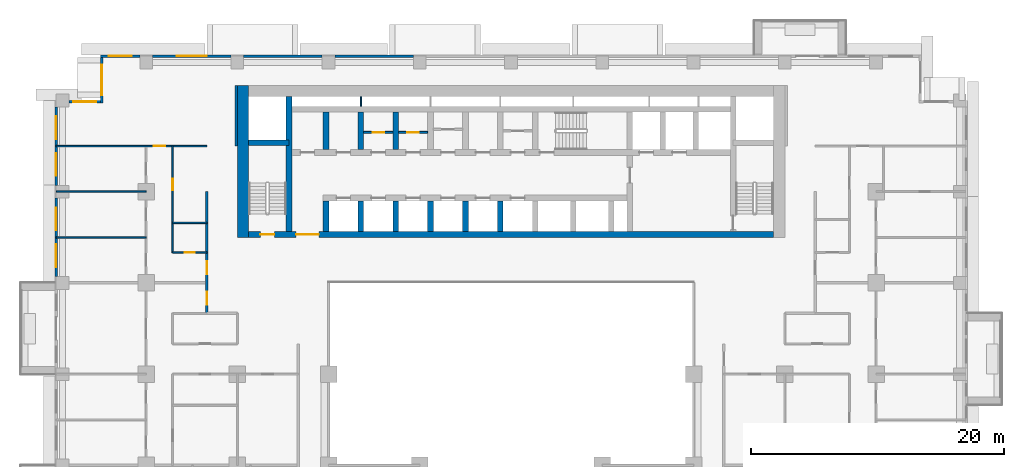
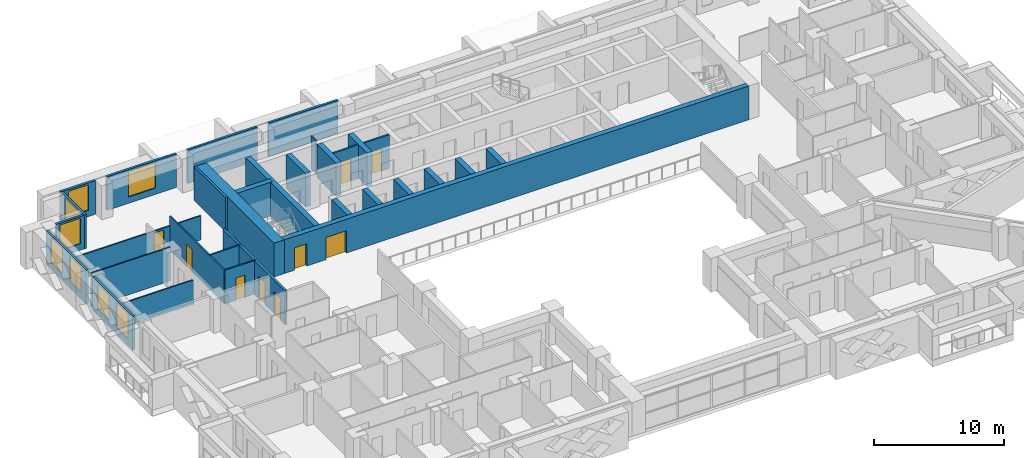
# One storey, part 9 of 16: 32 walls, 9 doors, 8 windows, 17 openings.
"""IFC4 building model written with IfcOpenShell, lengths in metres."""

from ifc_helpers import new_model, si_unit, direction, frame, frame_2d, origin, place, context, subcontext, project, spatial, rectangle, extrude, material, layer, layer_set, type_object, element, fill, save


model = new_model("IFC4")

# Units and contexts
model_context = context("Model", 3, precision=1e-05, world=origin(), true_north=direction((0.0, 1.0)))
body_context = subcontext(model_context, "Body", "Model", "MODEL_VIEW")
ifc_project = project(units=[si_unit("LENGTHUNIT", "METRE"), si_unit("AREAUNIT", "SQUARE_METRE"), si_unit("VOLUMEUNIT", "CUBIC_METRE"), si_unit("PLANEANGLEUNIT", "RADIAN"), si_unit("MASSUNIT", "GRAM", prefix="KILO")], contexts=[model_context])

# Site, building, storey
site_placement = place(None, origin())
site = spatial("IfcSite", under=ifc_project, at=site_placement, CompositionType="ELEMENT")
building_placement = place(site_placement, origin())
building = spatial("IfcBuilding", under=site, at=building_placement, Name="Saffron Iwan Residences", CompositionType="ELEMENT")
storey_placement = place(building_placement, frame((0.0, 0.0, 69.0)))
storey = spatial("IfcBuildingStorey", under=building, at=storey_placement, Name="L17", CompositionType="ELEMENT", Elevation=69.0)

# Wall, opening, door
ifc_material_1 = material(Name="Fire-rated plasterboard partition")
ifc_layer_1 = layer(ifc_material_1, 0.14990234375)
ifc_layer_set_1 = layer_set([ifc_layer_1], Name="Fire-rated plasterboard partition")
wall_type_1 = type_object("IfcWallType", Name="Core partition 150", PredefinedType="PARTITIONING", material=ifc_layer_set_1)
wall_1_placement = place(storey_placement, frame((38.77490234375, 74.281982421875, 0.0), z_axis=(0.0, 0.0, 1.0), x_axis=(1.0, 0.0, 0.0)))
wall_1 = element("IfcWall", 1, at=wall_1_placement, inside=storey, type_object=wall_type_1, Name="Core partition P01", PredefinedType="PARTITIONING", context=body_context, shape_type="SweptSolid", body=[
    extrude(rectangle(XDim=2.300048828125, YDim=0.14990234375, at=frame_2d((1.14990234375, 0.0))), origin(), (0.0, 0.0, 1.0), 3.179931640625),
])
opening_1_placement = place(wall_1_placement, frame((0.699951171875, 0.0, 0.0)))
opening_1 = element("IfcOpeningElement", 2, at=opening_1_placement, cuts=wall_1, Name="Opening SB", PredefinedType="OPENING", context=body_context, shape_type="SweptSolid", body=[
    extrude(rectangle(XDim=0.89990234375, YDim=2.10009765625, at=frame_2d((0.449951171875, 1.050048828125))), frame((0.0, 0.0849609375, 0.0), z_axis=(0.0, -1.0, 0.0), x_axis=(1.0, 0.0, 0.0)), (0.0, 0.0, 1.0), 0.169921875),
])
ifc_material_2 = material(Name="Steel fire door", Category="steel")
door_type_1 = type_object("IfcDoorType", Name="Store door 900", OperationType="NOTDEFINED", PredefinedType="DOOR", material=ifc_material_2)
door_1_placement = place(opening_1_placement, origin())
door_1 = element("IfcDoor", 3, at=door_1_placement, inside=storey, type_object=door_type_1, Name="Door Equipment store", OperationType="SINGLE_SWING_RIGHT", OverallHeight=2.10009765625, OverallWidth=0.89990234375, PredefinedType="DOOR", context=body_context, shape_type="SweptSolid", body=[
    extrude(rectangle(XDim=0.89990234375, YDim=2.10009765625, at=frame_2d((0.449951171875, 1.050048828125))), frame((0.0, 0.02490234375, 0.0), z_axis=(0.0, -1.0, 0.0), x_axis=(1.0, 0.0, 0.0)), (0.0, 0.0, 1.0), 0.050048828125),
])
fill(opening_1, door_1)

wall_2_placement = place(storey_placement, frame((41.52490234375, 74.281982421875, 0.0), z_axis=(0.0, 0.0, 1.0), x_axis=(1.0, 0.0, 0.0)))
wall_2 = element("IfcWall", 4, at=wall_2_placement, inside=storey, type_object=wall_type_1, Name="Core partition P02", PredefinedType="PARTITIONING", context=body_context, shape_type="SweptSolid", body=[
    extrude(rectangle(XDim=2.300048828125, YDim=0.14990234375, at=frame_2d((1.14990234375, 0.0))), origin(), (0.0, 0.0, 1.0), 3.179931640625),
])
opening_2_placement = place(wall_2_placement, frame((0.699951171875, 0.0, 0.0)))
opening_2 = element("IfcOpeningElement", 5, at=opening_2_placement, cuts=wall_2, Name="Opening SB", PredefinedType="OPENING", context=body_context, shape_type="SweptSolid", body=[
    extrude(rectangle(XDim=0.89990234375, YDim=2.10009765625, at=frame_2d((0.449951171875, 1.050048828125))), frame((0.0, 0.0849609375, 0.0), z_axis=(0.0, -1.0, 0.0), x_axis=(1.0, 0.0, 0.0)), (0.0, 0.0, 1.0), 0.169921875),
])
door_2_placement = place(opening_2_placement, origin())
door_2 = element("IfcDoor", 6, at=door_2_placement, inside=storey, type_object=door_type_1, Name="Door Mop store", OperationType="SINGLE_SWING_LEFT", OverallHeight=2.10009765625, OverallWidth=0.89990234375, PredefinedType="DOOR", context=body_context, shape_type="SweptSolid", body=[
    extrude(rectangle(XDim=0.89990234375, YDim=2.10009765625, at=frame_2d((0.449951171875, 1.050048828125))), frame((0.0, 0.02490234375, 0.0), z_axis=(0.0, -1.0, 0.0), x_axis=(1.0, 0.0, 0.0)), (0.0, 0.0, 1.0), 0.050048828125),
])
fill(opening_2, door_2)

# Walls
ifc_material_3 = material(Name="Concrete C40/50", Category="concrete")
ifc_layer_2 = layer(ifc_material_3, 0.199951171875)
ifc_layer_set_2 = layer_set([ifc_layer_2], Name="Concrete C40/50")
wall_type_2 = type_object("IfcWallType", Name="EXTERNAL WALL 200", PredefinedType="SOLIDWALL", material=ifc_layer_set_2)
for number, where, z_axis, x_axis, name in (
    (7, (42.699951171875, 80.300048828125, 0.0), (0.0, 0.0, 1.0), (-1.0, 0.0, 0.0), "External wall L17 F5.6"),
    (8, (35.5, 80.300048828125, 0.0), (0.0, 0.0, 1.0), (-1.0, 0.0, 0.0), "External wall L17 F5.7"),
):
    element("IfcWall", number, at=place(storey_placement, frame(where, z_axis=z_axis, x_axis=x_axis)), inside=storey, type_object=wall_type_2, Name=name, PredefinedType="SOLIDWALL", context=body_context, shape_type="SweptSolid", body=[
        extrude(rectangle(XDim=6.199951171875, YDim=0.199951171875, at=frame_2d((3.10009765625, 0.0))), origin(), (0.0, 0.0, 1.0), 3.179931640625),
    ])

# Wall, opening, window
wall_3_placement = place(storey_placement, frame((28.300048828125, 80.300048828125, 0.0), z_axis=(0.0, 0.0, 1.0), x_axis=(-1.0, 0.0, 0.0)))
wall_3 = element("IfcWall", 9, at=wall_3_placement, inside=storey, type_object=wall_type_2, Name="External wall L17 F5.8", PredefinedType="SOLIDWALL", context=body_context, shape_type="SweptSolid", body=[
    extrude(rectangle(XDim=6.199951171875, YDim=0.199951171875, at=frame_2d((3.10009765625, 0.0))), origin(), (0.0, 0.0, 1.0), 3.179931640625),
])
opening_3_placement = place(wall_3_placement, frame((1.89990234375, 0.0, 0.60009765625)))
opening_3 = element("IfcOpeningElement", 10, at=opening_3_placement, cuts=wall_3, Name="Opening W1", PredefinedType="OPENING", context=body_context, shape_type="SweptSolid", body=[
    extrude(rectangle(XDim=2.39990234375, YDim=2.39990234375, at=frame_2d((1.199951171875, 1.199951171875))), frame((0.0, 0.10986328125, 0.0), z_axis=(0.0, -1.0, 0.0), x_axis=(1.0, 0.0, 0.0)), (0.0, 0.0, 1.0), 0.219970703125),
])
ifc_material_4 = material(Name="Clear glass, laminated double glazed", Category="glass")
window_type_1 = type_object("IfcWindowType", Name="WINDOW 2400 x 2400", PartitioningType="DOUBLE_PANEL_VERTICAL", PredefinedType="WINDOW", material=ifc_material_4)
window_1_placement = place(opening_3_placement, origin())
window_1 = element("IfcWindow", 11, at=window_1_placement, inside=storey, type_object=window_type_1, Name="Window L17 F5.0", OverallHeight=2.39990234375, OverallWidth=2.39990234375, PartitioningType="DOUBLE_PANEL_VERTICAL", PredefinedType="WINDOW", context=body_context, shape_type="SweptSolid", body=[
    extrude(rectangle(XDim=2.39990234375, YDim=2.39990234375, at=frame_2d((1.199951171875, 1.199951171875))), frame((0.0, 0.030029296875, 0.0), z_axis=(0.0, -1.0, 0.0), x_axis=(1.0, 0.0, 0.0)), (0.0, 0.0, 1.0), 0.06005859375),
])
fill(opening_3, window_1)

wall_4_placement = place(storey_placement, frame((21.10009765625, 80.300048828125, 0.0), z_axis=(0.0, 0.0, 1.0), x_axis=(-1.0, 0.0, 0.0)))
wall_4 = element("IfcWall", 12, at=wall_4_placement, inside=storey, type_object=wall_type_2, Name="External wall L17 F5.9", PredefinedType="SOLIDWALL", context=body_context, shape_type="SweptSolid", body=[
    extrude(rectangle(XDim=3.10009765625, YDim=0.199951171875, at=frame_2d((1.550048828125, 0.0))), origin(), (0.0, 0.0, 1.0), 3.179931640625),
])
opening_4_placement = place(wall_4_placement, frame((0.64990234375, 0.0, 0.60009765625)))
opening_4 = element("IfcOpeningElement", 13, at=opening_4_placement, cuts=wall_4, Name="Opening W8", PredefinedType="OPENING", context=body_context, shape_type="SweptSolid", body=[
    extrude(rectangle(XDim=1.800048828125, YDim=2.39990234375, at=frame_2d((0.89990234375, 1.199951171875))), frame((0.0, 0.10986328125, 0.0), z_axis=(0.0, -1.0, 0.0), x_axis=(1.0, 0.0, 0.0)), (0.0, 0.0, 1.0), 0.219970703125),
])
window_type_2 = type_object("IfcWindowType", Name="WINDOW 1800 x 2400", PartitioningType="DOUBLE_PANEL_VERTICAL", PredefinedType="WINDOW", material=ifc_material_4)
window_2_placement = place(opening_4_placement, origin())
window_2 = element("IfcWindow", 14, at=window_2_placement, inside=storey, type_object=window_type_2, Name="Window L17 F5.0", OverallHeight=2.39990234375, OverallWidth=1.800048828125, PartitioningType="DOUBLE_PANEL_VERTICAL", PredefinedType="WINDOW", context=body_context, shape_type="SweptSolid", body=[
    extrude(rectangle(XDim=1.800048828125, YDim=2.39990234375, at=frame_2d((0.89990234375, 1.199951171875))), frame((0.0, 0.030029296875, 0.0), z_axis=(0.0, -1.0, 0.0), x_axis=(1.0, 0.0, 0.0)), (0.0, 0.0, 1.0), 0.06005859375),
])
fill(opening_4, window_2)

wall_5_placement = place(storey_placement, frame((18.10009765625, 80.199951171875, 0.0), z_axis=(0.0, 0.0, 1.0), x_axis=(0.0, -1.0, 0.0)))
wall_5 = element("IfcWall", 15, at=wall_5_placement, inside=storey, type_object=wall_type_2, Name="External wall L17 F6.0", PredefinedType="SOLIDWALL", context=body_context, shape_type="SweptSolid", body=[
    extrude(rectangle(XDim=3.599853515625, YDim=0.199951171875, at=frame_2d((1.7998046875, 0.0))), origin(), (0.0, 0.0, 1.0), 3.179931640625),
])
opening_5_placement = place(wall_5_placement, frame((0.60009765625, 0.0, 0.60009765625)))
opening_5 = element("IfcOpeningElement", 16, at=opening_5_placement, cuts=wall_5, Name="Opening W1", PredefinedType="OPENING", context=body_context, shape_type="SweptSolid", body=[
    extrude(rectangle(XDim=2.39990234375, YDim=2.39990234375, at=frame_2d((1.199951171875, 1.199951171875))), frame((0.0, 0.10986328125, 0.0), z_axis=(0.0, -1.0, 0.0), x_axis=(1.0, 0.0, 0.0)), (0.0, 0.0, 1.0), 0.219970703125),
])
window_3_placement = place(opening_5_placement, origin())
window_3 = element("IfcWindow", 17, at=window_3_placement, inside=storey, type_object=window_type_1, Name="Window L17 F6.0", OverallHeight=2.39990234375, OverallWidth=2.39990234375, PartitioningType="DOUBLE_PANEL_VERTICAL", PredefinedType="WINDOW", context=body_context, shape_type="SweptSolid", body=[
    extrude(rectangle(XDim=2.39990234375, YDim=2.39990234375, at=frame_2d((1.199951171875, 1.199951171875))), frame((0.0, 0.030029296875, 0.0), z_axis=(0.0, -1.0, 0.0), x_axis=(1.0, 0.0, 0.0)), (0.0, 0.0, 1.0), 0.06005859375),
])
fill(opening_5, window_3)

wall_6_placement = place(storey_placement, frame((18.0, 76.699951171875, 0.0), z_axis=(0.0, 0.0, 1.0), x_axis=(-1.0, 0.0, 0.0)))
wall_6 = element("IfcWall", 18, at=wall_6_placement, inside=storey, type_object=wall_type_2, Name="External wall L17 F7.0", PredefinedType="SOLIDWALL", context=body_context, shape_type="SweptSolid", body=[
    extrude(rectangle(XDim=2.5, YDim=0.199951171875, at=frame_2d((1.25, 0.0))), origin(), (0.0, 0.0, 1.0), 3.179931640625),
])
opening_6_placement = place(wall_6_placement, frame((0.35009765625, 0.0, 0.60009765625)))
opening_6 = element("IfcOpeningElement", 19, at=opening_6_placement, cuts=wall_6, Name="Opening W8", PredefinedType="OPENING", context=body_context, shape_type="SweptSolid", body=[
    extrude(rectangle(XDim=1.800048828125, YDim=2.39990234375, at=frame_2d((0.89990234375, 1.199951171875))), frame((0.0, 0.10986328125, 0.0), z_axis=(0.0, -1.0, 0.0), x_axis=(1.0, 0.0, 0.0)), (0.0, 0.0, 1.0), 0.219970703125),
])
window_4_placement = place(opening_6_placement, origin())
window_4 = element("IfcWindow", 20, at=window_4_placement, inside=storey, type_object=window_type_2, Name="Window L17 F7.0", OverallHeight=2.39990234375, OverallWidth=1.800048828125, PartitioningType="DOUBLE_PANEL_VERTICAL", PredefinedType="WINDOW", context=body_context, shape_type="SweptSolid", body=[
    extrude(rectangle(XDim=1.800048828125, YDim=2.39990234375, at=frame_2d((0.89990234375, 1.199951171875))), frame((0.0, 0.030029296875, 0.0), z_axis=(0.0, -1.0, 0.0), x_axis=(1.0, 0.0, 0.0)), (0.0, 0.0, 1.0), 0.06005859375),
])
fill(opening_6, window_4)

# Wall, openings, windows
wall_7_placement = place(storey_placement, frame((14.5, 76.300048828125, 0.0), z_axis=(0.0, 0.0, 1.0), x_axis=(0.0, -1.0, 0.0)))
wall_7 = element("IfcWall", 21, at=wall_7_placement, inside=storey, type_object=wall_type_2, Name="External wall L17 F8.0", PredefinedType="SOLIDWALL", context=body_context, shape_type="SweptSolid", body=[
    extrude(rectangle(XDim=6.199951171875, YDim=0.199951171875, at=frame_2d((3.10009765625, 0.0))), origin(), (0.0, 0.0, 1.0), 3.179931640625),
])
opening_7_placement = place(wall_7_placement, frame((3.64990234375, 0.0, 0.60009765625)))
opening_7 = element("IfcOpeningElement", 22, at=opening_7_placement, cuts=wall_7, Name="Opening W8", PredefinedType="OPENING", context=body_context, shape_type="SweptSolid", body=[
    extrude(rectangle(XDim=1.800048828125, YDim=2.39990234375, at=frame_2d((0.89990234375, 1.199951171875))), frame((0.0, 0.10986328125, 0.0), z_axis=(0.0, -1.0, 0.0), x_axis=(1.0, 0.0, 0.0)), (0.0, 0.0, 1.0), 0.219970703125),
])
opening_8_placement = place(wall_7_placement, frame((0.75, 0.0, 0.60009765625)))
opening_8 = element("IfcOpeningElement", 23, at=opening_8_placement, cuts=wall_7, Name="Opening W8", PredefinedType="OPENING", context=body_context, shape_type="SweptSolid", body=[
    extrude(rectangle(XDim=1.800048828125, YDim=2.39990234375, at=frame_2d((0.89990234375, 1.199951171875))), frame((0.0, 0.10986328125, 0.0), z_axis=(0.0, -1.0, 0.0), x_axis=(1.0, 0.0, 0.0)), (0.0, 0.0, 1.0), 0.219970703125),
])
window_5_placement = place(opening_7_placement, origin())
window_5 = element("IfcWindow", 24, at=window_5_placement, inside=storey, type_object=window_type_2, Name="Window L17 F8.0", OverallHeight=2.39990234375, OverallWidth=1.800048828125, PartitioningType="DOUBLE_PANEL_VERTICAL", PredefinedType="WINDOW", context=body_context, shape_type="SweptSolid", body=[
    extrude(rectangle(XDim=1.800048828125, YDim=2.39990234375, at=frame_2d((0.89990234375, 1.199951171875))), frame((0.0, 0.030029296875, 0.0), z_axis=(0.0, -1.0, 0.0), x_axis=(1.0, 0.0, 0.0)), (0.0, 0.0, 1.0), 0.06005859375),
])
fill(opening_7, window_5)
window_6_placement = place(opening_8_placement, origin())
window_6 = element("IfcWindow", 25, at=window_6_placement, inside=storey, type_object=window_type_2, Name="Window L17 F8.1", OverallHeight=2.39990234375, OverallWidth=1.800048828125, PartitioningType="DOUBLE_PANEL_VERTICAL", PredefinedType="WINDOW", context=body_context, shape_type="SweptSolid", body=[
    extrude(rectangle(XDim=1.800048828125, YDim=2.39990234375, at=frame_2d((0.89990234375, 1.199951171875))), frame((0.0, 0.030029296875, 0.0), z_axis=(0.0, -1.0, 0.0), x_axis=(1.0, 0.0, 0.0)), (0.0, 0.0, 1.0), 0.06005859375),
])
fill(opening_8, window_6)

wall_8_placement = place(storey_placement, frame((14.5, 69.10009765625, 0.0), z_axis=(0.0, 0.0, 1.0), x_axis=(0.0, -1.0, 0.0)))
wall_8 = element("IfcWall", 26, at=wall_8_placement, inside=storey, type_object=wall_type_2, Name="External wall L17 F8.1", PredefinedType="SOLIDWALL", context=body_context, shape_type="SweptSolid", body=[
    extrude(rectangle(XDim=6.2001953125, YDim=0.199951171875, at=frame_2d((3.10009765625, 0.0))), origin(), (0.0, 0.0, 1.0), 3.179931640625),
])
opening_9_placement = place(wall_8_placement, frame((3.64990234375, 0.0, 0.60009765625)))
opening_9 = element("IfcOpeningElement", 27, at=opening_9_placement, cuts=wall_8, Name="Opening W8", PredefinedType="OPENING", context=body_context, shape_type="SweptSolid", body=[
    extrude(rectangle(XDim=1.800048828125, YDim=2.39990234375, at=frame_2d((0.89990234375, 1.199951171875))), frame((0.0, 0.10986328125, 0.0), z_axis=(0.0, -1.0, 0.0), x_axis=(1.0, 0.0, 0.0)), (0.0, 0.0, 1.0), 0.219970703125),
])
opening_10_placement = place(wall_8_placement, frame((0.75, 0.0, 0.60009765625)))
opening_10 = element("IfcOpeningElement", 28, at=opening_10_placement, cuts=wall_8, Name="Opening W8", PredefinedType="OPENING", context=body_context, shape_type="SweptSolid", body=[
    extrude(rectangle(XDim=1.800048828125, YDim=2.39990234375, at=frame_2d((0.89990234375, 1.199951171875))), frame((0.0, 0.10986328125, 0.0), z_axis=(0.0, -1.0, 0.0), x_axis=(1.0, 0.0, 0.0)), (0.0, 0.0, 1.0), 0.219970703125),
])
window_7_placement = place(opening_9_placement, origin())
window_7 = element("IfcWindow", 29, at=window_7_placement, inside=storey, type_object=window_type_2, Name="Window L17 F8.0", OverallHeight=2.39990234375, OverallWidth=1.800048828125, PartitioningType="DOUBLE_PANEL_VERTICAL", PredefinedType="WINDOW", context=body_context, shape_type="SweptSolid", body=[
    extrude(rectangle(XDim=1.800048828125, YDim=2.39990234375, at=frame_2d((0.89990234375, 1.199951171875))), frame((0.0, 0.030029296875, 0.0), z_axis=(0.0, -1.0, 0.0), x_axis=(1.0, 0.0, 0.0)), (0.0, 0.0, 1.0), 0.06005859375),
])
fill(opening_9, window_7)
window_8_placement = place(opening_10_placement, origin())
window_8 = element("IfcWindow", 30, at=window_8_placement, inside=storey, type_object=window_type_2, Name="Window L17 F8.1", OverallHeight=2.39990234375, OverallWidth=1.800048828125, PartitioningType="DOUBLE_PANEL_VERTICAL", PredefinedType="WINDOW", context=body_context, shape_type="SweptSolid", body=[
    extrude(rectangle(XDim=1.800048828125, YDim=2.39990234375, at=frame_2d((0.89990234375, 1.199951171875))), frame((0.0, 0.030029296875, 0.0), z_axis=(0.0, -1.0, 0.0), x_axis=(1.0, 0.0, 0.0)), (0.0, 0.0, 1.0), 0.06005859375),
])
fill(opening_10, window_8)

# Wall, opening, door
ifc_material_5 = material(Name="Gypsum board partition")
ifc_layer_3 = layer(ifc_material_5, 0.1201171875)
ifc_layer_set_3 = layer_set([ifc_layer_3], Name="Gypsum board partition")
wall_type_3 = type_object("IfcWallType", Name="Flat partition 120", PredefinedType="PARTITIONING", material=ifc_layer_set_3)
wall_9_placement = place(storey_placement, frame((23.699951171875, 64.800048828125, 0.0), z_axis=(0.0, 0.0, 1.0), x_axis=(1.0, 0.0, 0.0)))
wall_9 = element("IfcWall", 31, at=wall_9_placement, inside=storey, type_object=wall_type_3, Name="W-L17-PART-h64.8-23.7", PredefinedType="PARTITIONING", context=body_context, shape_type="SweptSolid", body=[
    extrude(rectangle(XDim=2.699951171875, YDim=0.1201171875, at=frame_2d((1.35009765625, 0.0))), origin(), (0.0, 0.0, 1.0), 3.179931640625),
])
opening_11_placement = place(wall_9_placement, frame((0.949951171875, 0.0, 0.0)))
opening_11 = element("IfcOpeningElement", 32, at=opening_11_placement, cuts=wall_9, Name="Opening FD3", PredefinedType="OPENING", context=body_context, shape_type="SweptSolid", body=[
    extrude(rectangle(XDim=0.800048828125, YDim=2.10009765625, at=frame_2d((0.39990234375, 1.050048828125))), frame((0.0, 0.070068359375, 0.0), z_axis=(0.0, -1.0, 0.0), x_axis=(1.0, 0.0, 0.0)), (0.0, 0.0, 1.0), 0.14013671875),
])
ifc_material_6 = material(Name="Timber door", Category="wood")
door_type_2 = type_object("IfcDoorType", Name="Bathroom door 800", OperationType="NOTDEFINED", PredefinedType="DOOR", material=ifc_material_6)
door_3_placement = place(opening_11_placement, origin())
door_3 = element("IfcDoor", 33, at=door_3_placement, inside=storey, type_object=door_type_2, Name="Door L17-032", OperationType="SINGLE_SWING_RIGHT", OverallHeight=2.10009765625, OverallWidth=0.800048828125, PredefinedType="DOOR", context=body_context, shape_type="SweptSolid", body=[
    extrude(rectangle(XDim=0.800048828125, YDim=2.10009765625, at=frame_2d((0.39990234375, 1.050048828125))), frame((0.0, 0.02490234375, 0.0), z_axis=(0.0, -1.0, 0.0), x_axis=(1.0, 0.0, 0.0)), (0.0, 0.0, 1.0), 0.050048828125),
])
fill(opening_11, door_3)

# Walls
wall_10_placement = place(storey_placement, frame((14.52490234375, 66.0, 0.0), z_axis=(0.0, 0.0, 1.0), x_axis=(1.0, 0.0, 0.0)))
element("IfcWall", 34, at=wall_10_placement, inside=storey, type_object=wall_type_3, Name="W-L17-PART-h66-14.525", PredefinedType="PARTITIONING", context=body_context, shape_type="SweptSolid", body=[
    extrude(rectangle(XDim=7.0751953125, YDim=0.1201171875, at=frame_2d((3.53759765625, 0.0))), origin(), (0.0, 0.0, 1.0), 2.280029296875),
])
wall_11_placement = place(storey_placement, frame((23.699951171875, 67.14990234375, 0.0), z_axis=(0.0, 0.0, 1.0), x_axis=(1.0, 0.0, 0.0)))
element("IfcWall", 35, at=wall_11_placement, inside=storey, type_object=wall_type_3, Name="W-L17-PART-h67.15-23.7", PredefinedType="PARTITIONING", context=body_context, shape_type="SweptSolid", body=[
    extrude(rectangle(XDim=2.699951171875, YDim=0.1201171875, at=frame_2d((1.35009765625, 0.0))), origin(), (0.0, 0.0, 1.0), 3.179931640625),
])
wall_12_placement = place(storey_placement, frame((14.52490234375, 69.60009765625, 0.0), z_axis=(0.0, 0.0, 1.0), x_axis=(1.0, 0.0, 0.0)))
element("IfcWall", 36, at=wall_12_placement, inside=storey, type_object=wall_type_3, Name="W-L17-PART-h69.6-14.525", PredefinedType="PARTITIONING", context=body_context, shape_type="SweptSolid", body=[
    extrude(rectangle(XDim=7.0751953125, YDim=0.1201171875, at=frame_2d((3.53759765625, 0.0))), origin(), (0.0, 0.0, 1.0), 3.179931640625),
])

# Wall, opening, door
wall_13_placement = place(storey_placement, frame((14.52490234375, 73.199951171875, 0.0), z_axis=(0.0, 0.0, 1.0), x_axis=(1.0, 0.0, 0.0)))
wall_13 = element("IfcWall", 37, at=wall_13_placement, inside=storey, type_object=wall_type_3, Name="W-L17-PART-h73.2-14.525", PredefinedType="PARTITIONING", context=body_context, shape_type="SweptSolid", body=[
    extrude(rectangle(XDim=11.875, YDim=0.1201171875, at=frame_2d((5.9375, 0.0))), origin(), (0.0, 0.0, 1.0), 2.280029296875),
])
opening_12_placement = place(wall_13_placement, frame((7.675048828125, 0.0, 0.0)))
opening_12 = element("IfcOpeningElement", 38, at=opening_12_placement, cuts=wall_13, Name="Opening FD2", PredefinedType="OPENING", context=body_context, shape_type="SweptSolid", body=[
    extrude(rectangle(XDim=0.89990234375, YDim=2.10009765625, at=frame_2d((0.449951171875, 1.050048828125))), frame((0.0, 0.070068359375, 0.0), z_axis=(0.0, -1.0, 0.0), x_axis=(1.0, 0.0, 0.0)), (0.0, 0.0, 1.0), 0.14013671875),
])
door_type_3 = type_object("IfcDoorType", Name="Flat door 900", OperationType="NOTDEFINED", PredefinedType="DOOR", material=ifc_material_6)
door_4_placement = place(opening_12_placement, origin())
door_4 = element("IfcDoor", 39, at=door_4_placement, inside=storey, type_object=door_type_3, Name="Door L17-031", OperationType="SINGLE_SWING_LEFT", OverallHeight=2.10009765625, OverallWidth=0.89990234375, PredefinedType="DOOR", context=body_context, shape_type="SweptSolid", body=[
    extrude(rectangle(XDim=0.89990234375, YDim=2.10009765625, at=frame_2d((0.449951171875, 1.050048828125))), frame((0.0, 0.02490234375, 0.0), z_axis=(0.0, -1.0, 0.0), x_axis=(1.0, 0.0, 0.0)), (0.0, 0.0, 1.0), 0.050048828125),
])
fill(opening_12, door_4)

wall_14_placement = place(storey_placement, frame((23.699951171875, 64.800048828125, 0.0), z_axis=(0.0, 0.0, 1.0), x_axis=(0.0, 1.0, 0.0)))
wall_14 = element("IfcWall", 40, at=wall_14_placement, inside=storey, type_object=wall_type_3, Name="W-L17-PART-v23.7-64.8", PredefinedType="PARTITIONING", context=body_context, shape_type="SweptSolid", body=[
    extrude(rectangle(XDim=8.39990234375, YDim=0.1201171875, at=frame_2d((4.199951171875, 0.0))), origin(), (0.0, 0.0, 1.0), 3.179931640625),
])
opening_13_placement = place(wall_14_placement, frame((4.925048828125, 0.0, 0.0)))
opening_13 = element("IfcOpeningElement", 41, at=opening_13_placement, cuts=wall_14, Name="Opening FD2", PredefinedType="OPENING", context=body_context, shape_type="SweptSolid", body=[
    extrude(rectangle(XDim=0.89990234375, YDim=2.10009765625, at=frame_2d((0.449951171875, 1.050048828125))), frame((0.0, 0.070068359375, 0.0), z_axis=(0.0, -1.0, 0.0), x_axis=(1.0, 0.0, 0.0)), (0.0, 0.0, 1.0), 0.14013671875),
])
door_5_placement = place(opening_13_placement, origin())
door_5 = element("IfcDoor", 42, at=door_5_placement, inside=storey, type_object=door_type_3, Name="Door L17-033", OperationType="SINGLE_SWING_LEFT", OverallHeight=2.10009765625, OverallWidth=0.89990234375, PredefinedType="DOOR", context=body_context, shape_type="SweptSolid", body=[
    extrude(rectangle(XDim=0.89990234375, YDim=2.10009765625, at=frame_2d((0.449951171875, 1.050048828125))), frame((0.0, 0.02490234375, 0.0), z_axis=(0.0, -1.0, 0.0), x_axis=(1.0, 0.0, 0.0)), (0.0, 0.0, 1.0), 0.050048828125),
])
fill(opening_13, door_5)

# Wall, openings, doors
ifc_material_7 = material(Name="Fire-rated gypsum board wall")
ifc_layer_4 = layer(ifc_material_7, 0.199951171875)
ifc_layer_set_4 = layer_set([ifc_layer_4], Name="Fire-rated gypsum board wall")
wall_type_4 = type_object("IfcWallType", Name="Gallery wall 200", PredefinedType="SOLIDWALL", material=ifc_layer_set_4)
wall_15_placement = place(storey_placement, frame((26.39990234375, 60.0, 0.0), z_axis=(0.0, 0.0, 1.0), x_axis=(0.0, 1.0, 0.0)))
wall_15 = element("IfcWall", 43, at=wall_15_placement, inside=storey, type_object=wall_type_4, Name="W-L17-CORR-v26.4-60", PredefinedType="SOLIDWALL", context=body_context, shape_type="SweptSolid", body=[
    extrude(rectangle(XDim=9.60009765625, YDim=0.199951171875, at=frame_2d((4.800048828125, 0.0))), origin(), (0.0, 0.0, 1.0), 3.179931640625),
])
opening_14_placement = place(wall_15_placement, frame((0.699951171875, 0.0, 0.0)))
opening_14 = element("IfcOpeningElement", 44, at=opening_14_placement, cuts=wall_15, Name="Opening FD1", PredefinedType="OPENING", context=body_context, shape_type="SweptSolid", body=[
    extrude(rectangle(XDim=1.0, YDim=2.10009765625, at=frame_2d((0.5, 1.050048828125))), frame((0.0, 0.10986328125, 0.0), z_axis=(0.0, -1.0, 0.0), x_axis=(1.0, 0.0, 0.0)), (0.0, 0.0, 1.0), 0.219970703125),
])
opening_15_placement = place(wall_15_placement, frame((3.10009765625, 0.0, 0.0)))
opening_15 = element("IfcOpeningElement", 45, at=opening_15_placement, cuts=wall_15, Name="Opening FD1", PredefinedType="OPENING", context=body_context, shape_type="SweptSolid", body=[
    extrude(rectangle(XDim=1.0, YDim=2.10009765625, at=frame_2d((0.5, 1.050048828125))), frame((0.0, 0.10986328125, 0.0), z_axis=(0.0, -1.0, 0.0), x_axis=(1.0, 0.0, 0.0)), (0.0, 0.0, 1.0), 0.219970703125),
])
ifc_material_8 = material(Name="Fire-rated timber door", Category="wood")
door_type_4 = type_object("IfcDoorType", Name="FD30S flat entrance door 1000", OperationType="NOTDEFINED", PredefinedType="DOOR", material=ifc_material_8)
door_6_placement = place(opening_14_placement, origin())
door_6 = element("IfcDoor", 46, at=door_6_placement, inside=storey, type_object=door_type_4, Name="Door L17-012", OperationType="SINGLE_SWING_LEFT", OverallHeight=2.10009765625, OverallWidth=1.0, PredefinedType="DOOR", context=body_context, shape_type="SweptSolid", body=[
    extrude(rectangle(XDim=1.0, YDim=2.10009765625, at=frame_2d((0.5, 1.050048828125))), frame((0.0, 0.02490234375, 0.0), z_axis=(0.0, -1.0, 0.0), x_axis=(1.0, 0.0, 0.0)), (0.0, 0.0, 1.0), 0.050048828125),
])
fill(opening_14, door_6)
door_7_placement = place(opening_15_placement, origin())
door_7 = element("IfcDoor", 47, at=door_7_placement, inside=storey, type_object=door_type_4, Name="Door L17-027", OperationType="SINGLE_SWING_LEFT", OverallHeight=2.10009765625, OverallWidth=1.0, PredefinedType="DOOR", context=body_context, shape_type="SweptSolid", body=[
    extrude(rectangle(XDim=1.0, YDim=2.10009765625, at=frame_2d((0.5, 1.050048828125))), frame((0.0, 0.02490234375, 0.0), z_axis=(0.0, -1.0, 0.0), x_axis=(1.0, 0.0, 0.0)), (0.0, 0.0, 1.0), 0.050048828125),
])
fill(opening_15, door_7)

# Walls
wall_16_placement = place(storey_placement, frame((28.699951171875, 73.199951171875, 0.0), z_axis=(0.0, 0.0, 1.0), x_axis=(0.0, 1.0, 0.0)))
element("IfcWall", 48, at=wall_16_placement, inside=storey, type_object=wall_type_4, Name="W-L17-CORR-v28.8-73.2", PredefinedType="SOLIDWALL", context=body_context, shape_type="SweptSolid", body=[
    extrude(rectangle(XDim=4.800048828125, YDim=0.199951171875, at=frame_2d((2.39990234375, 0.0))), origin(), (0.0, 0.0, 1.0), 3.179931640625),
])
ifc_layer_5 = layer(ifc_material_1, 0.10009765625)
ifc_layer_set_5 = layer_set([ifc_layer_5], Name="Fire-rated plasterboard partition")
wall_type_5 = type_object("IfcWallType", Name="Riser partition 100", PredefinedType="PARTITIONING", material=ifc_layer_set_5)
wall_17_placement = place(storey_placement, frame((38.550048828125, 76.324951171875, 0.0), z_axis=(0.0, 0.0, 1.0), x_axis=(0.0, 1.0, 0.0)))
element("IfcWall", 49, at=wall_17_placement, inside=storey, type_object=wall_type_5, Name="Core partition P05", PredefinedType="PARTITIONING", context=body_context, shape_type="SweptSolid", body=[
    extrude(rectangle(XDim=0.775146484375, YDim=0.10009765625, at=frame_2d((0.3876953125, 0.0))), origin(), (0.0, 0.0, 1.0), 3.179931640625),
])

# Wall, openings, doors
ifc_material_9 = material(Name="Concrete C60/75", Category="concrete")
ifc_layer_6 = layer(ifc_material_9, 0.449951171875)
ifc_layer_set_6 = layer_set([ifc_layer_6], Name="Concrete C60/75")
wall_type_6 = type_object("IfcWallType", Name="WALL CORE 450 C60/75 3180 HIGH", PredefinedType="SHEAR", material=ifc_layer_set_6)
wall_18_placement = place(storey_placement, frame((29.699951171875, 66.22509765625, 0.0), z_axis=(0.0, 0.0, 1.0), x_axis=(1.0, 0.0, 0.0)))
wall_18 = element("IfcWall", 50, at=wall_18_placement, inside=storey, type_object=wall_type_6, Name="Core wall", PredefinedType="SHEAR", context=body_context, shape_type="SweptSolid", body=[
    extrude(rectangle(XDim=41.400146484375, YDim=0.449951171875, at=frame_2d((20.7001953125, 0.0))), origin(), (0.0, 0.0, 1.0), 3.179931640625),
])
opening_16_placement = place(wall_18_placement, frame((0.925048828125, 0.0, 0.0)))
opening_16 = element("IfcOpeningElement", 51, at=opening_16_placement, cuts=wall_18, Name="Opening SD", PredefinedType="OPENING", context=body_context, shape_type="SweptSolid", body=[
    extrude(rectangle(XDim=1.10009765625, YDim=2.10009765625, at=frame_2d((0.550048828125, 1.050048828125))), frame((0.0, 0.23486328125, 0.0), z_axis=(0.0, -1.0, 0.0), x_axis=(1.0, 0.0, 0.0)), (0.0, 0.0, 1.0), 0.469970703125),
])
opening_17_placement = place(wall_18_placement, frame((3.737548828125, 0.0, 0.0)))
opening_17 = element("IfcOpeningElement", 52, at=opening_17_placement, cuts=wall_18, Name="Opening DD", PredefinedType="OPENING", context=body_context, shape_type="SweptSolid", body=[
    extrude(rectangle(XDim=1.800048828125, YDim=2.10009765625, at=frame_2d((0.89990234375, 1.050048828125))), frame((0.0, 0.23486328125, 0.0), z_axis=(0.0, -1.0, 0.0), x_axis=(1.0, 0.0, 0.0)), (0.0, 0.0, 1.0), 0.469970703125),
])
door_type_5 = type_object("IfcDoorType", Name="Lobby double door 1800", OperationType="DOUBLE_DOOR_SINGLE_SWING", PredefinedType="DOOR", material=ifc_material_2)
door_8_placement = place(opening_17_placement, origin())
door_8 = element("IfcDoor", 53, at=door_8_placement, inside=storey, type_object=door_type_5, Name="Lobby doors", OperationType="DOUBLE_DOOR_SINGLE_SWING", OverallHeight=2.10009765625, OverallWidth=1.800048828125, PredefinedType="DOOR", context=body_context, shape_type="SweptSolid", body=[
    extrude(rectangle(XDim=1.800048828125, YDim=2.10009765625, at=frame_2d((0.89990234375, 1.050048828125))), frame((0.0, 0.02490234375, 0.0), z_axis=(0.0, -1.0, 0.0), x_axis=(1.0, 0.0, 0.0)), (0.0, 0.0, 1.0), 0.050048828125),
])
fill(opening_17, door_8)
door_type_6 = type_object("IfcDoorType", Name="Stair door 1100", OperationType="NOTDEFINED", PredefinedType="DOOR", material=ifc_material_2)
door_9_placement = place(opening_16_placement, origin())
door_9 = element("IfcDoor", 54, at=door_9_placement, inside=storey, type_object=door_type_6, Name="Stair door ST-W", OperationType="SINGLE_SWING_LEFT", OverallHeight=2.10009765625, OverallWidth=1.10009765625, PredefinedType="DOOR", context=body_context, shape_type="SweptSolid", body=[
    extrude(rectangle(XDim=1.10009765625, YDim=2.10009765625, at=frame_2d((0.550048828125, 1.050048828125))), frame((0.0, 0.02490234375, 0.0), z_axis=(0.0, -1.0, 0.0), x_axis=(1.0, 0.0, 0.0)), (0.0, 0.0, 1.0), 0.050048828125),
])
fill(opening_16, door_9)

# Walls
wall_19_placement = place(storey_placement, frame((29.699951171875, 73.47509765625, 0.0), z_axis=(0.0, 0.0, 1.0), x_axis=(1.0, 0.0, 0.0)))
element("IfcWall", 55, at=wall_19_placement, inside=storey, type_object=wall_type_6, Name="Core wall", PredefinedType="SHEAR", context=body_context, shape_type="SweptSolid", body=[
    extrude(rectangle(XDim=3.175048828125, YDim=0.449951171875, at=frame_2d((1.58740234375, 0.0))), origin(), (0.0, 0.0, 1.0), 3.179931640625),
])
wall_20_placement = place(storey_placement, frame((32.875, 66.449951171875, 0.0), z_axis=(0.0, 0.0, 1.0), x_axis=(0.0, 1.0, 0.0)))
element("IfcWall", 56, at=wall_20_placement, inside=storey, type_object=wall_type_6, Name="Core wall", PredefinedType="SHEAR", context=body_context, shape_type="SweptSolid", body=[
    extrude(rectangle(XDim=10.650146484375, YDim=0.449951171875, at=frame_2d((5.3251953125, 0.0))), origin(), (0.0, 0.0, 1.0), 3.179931640625),
])
for number, where, z_axis, x_axis, name in (
    (57, (35.800048828125, 66.449951171875, 0.0), (0.0, 0.0, 1.0), (0.0, 1.0, 0.0), "Core wall"),
    (58, (38.550048828125, 66.449951171875, 0.0), (0.0, 0.0, 1.0), (0.0, 1.0, 0.0), "Core wall"),
    (59, (41.300048828125, 66.449951171875, 0.0), (0.0, 0.0, 1.0), (0.0, 1.0, 0.0), "Core wall"),
    (60, (44.050048828125, 66.449951171875, 0.0), (0.0, 0.0, 1.0), (0.0, 1.0, 0.0), "Core wall"),
    (61, (46.800048828125, 66.449951171875, 0.0), (0.0, 0.0, 1.0), (0.0, 1.0, 0.0), "Core wall"),
    (62, (49.550048828125, 66.449951171875, 0.0), (0.0, 0.0, 1.0), (0.0, 1.0, 0.0), "Core wall"),
):
    element("IfcWall", number, at=place(storey_placement, frame(where, z_axis=z_axis, x_axis=x_axis)), inside=storey, type_object=wall_type_6, Name=name, PredefinedType="SHEAR", context=body_context, shape_type="SweptSolid", body=[
        extrude(rectangle(XDim=2.425048828125, YDim=0.449951171875, at=frame_2d((1.21240234375, 0.0))), origin(), (0.0, 0.0, 1.0), 3.179931640625),
    ])
for number, where, z_axis, x_axis, name in (
    (63, (35.800048828125, 72.925048828125, 0.0), (0.0, 0.0, 1.0), (0.0, 1.0, 0.0), "Core wall"),
    (64, (38.550048828125, 72.925048828125, 0.0), (0.0, 0.0, 1.0), (0.0, 1.0, 0.0), "Core wall"),
    (65, (41.300048828125, 72.925048828125, 0.0), (0.0, 0.0, 1.0), (0.0, 1.0, 0.0), "Core wall"),
):
    element("IfcWall", number, at=place(storey_placement, frame(where, z_axis=z_axis, x_axis=x_axis)), inside=storey, type_object=wall_type_6, Name=name, PredefinedType="SHEAR", context=body_context, shape_type="SweptSolid", body=[
        extrude(rectangle(XDim=2.949951171875, YDim=0.449951171875, at=frame_2d((1.47509765625, 0.0))), origin(), (0.0, 0.0, 1.0), 3.179931640625),
    ])
ifc_layer_7 = layer(ifc_material_9, 0.89990234375)
ifc_layer_set_7 = layer_set([ifc_layer_7], Name="Concrete C60/75")
wall_type_7 = type_object("IfcWallType", Name="WALL CORE 900 C60/75 3180 HIGH", PredefinedType="SHEAR", material=ifc_layer_set_7)
wall_21_placement = place(storey_placement, frame((29.25, 66.0, 0.0), z_axis=(0.0, 0.0, 1.0), x_axis=(0.0, 1.0, 0.0)))
element("IfcWall", 66, at=wall_21_placement, inside=storey, type_object=wall_type_7, Name="Core wall", PredefinedType="SHEAR", context=body_context, shape_type="SweptSolid", body=[
    extrude(rectangle(XDim=12.0, YDim=0.89990234375, at=frame_2d((6.0, 0.0))), origin(), (0.0, 0.0, 1.0), 3.179931640625),
])

save(model, "model.ifc")
